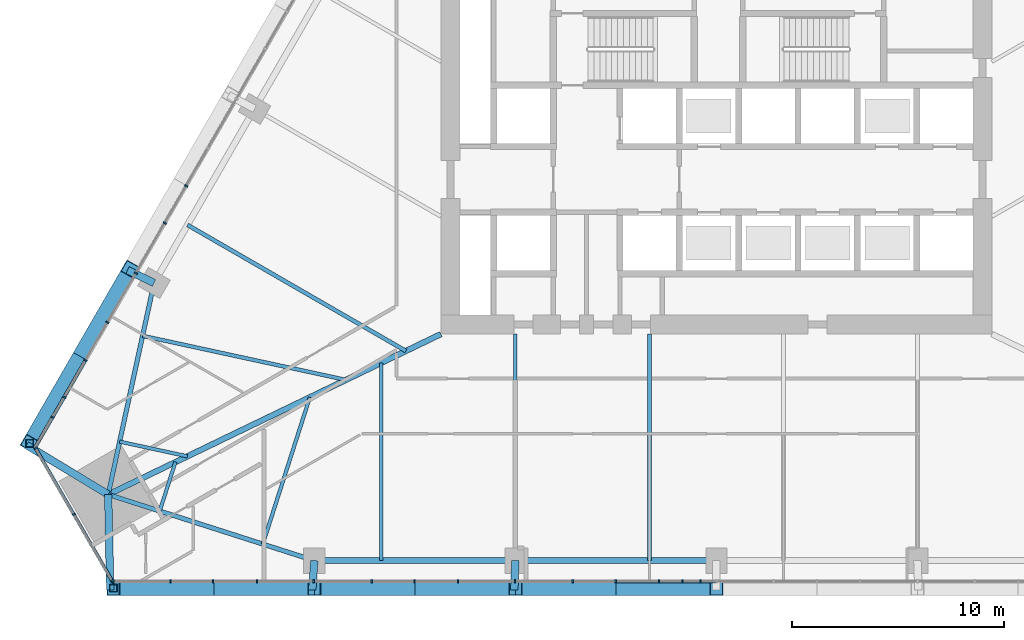
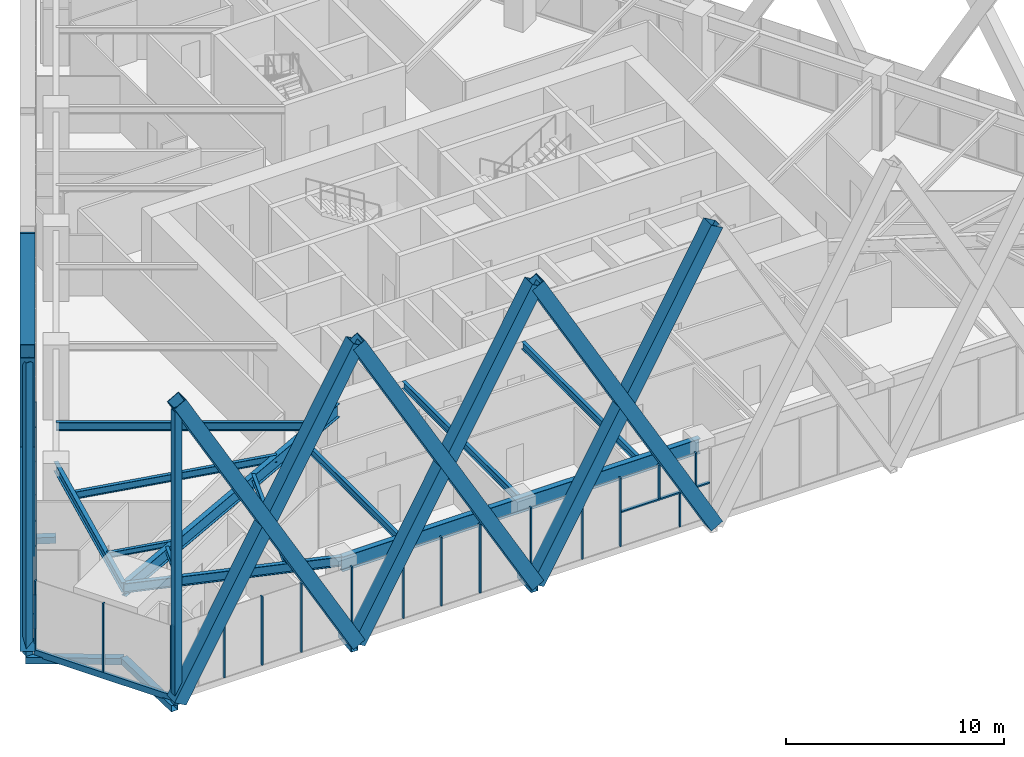
# One storey, part 2 of 21: 42 members, 12 beams, 3 elements without a shape of their own.
"""IFC4 building model written with IfcOpenShell, lengths in metres."""

from ifc_helpers import new_model, si_unit, direction, frame, origin, origin_2d, place, context, subcontext, project, spatial, rectangle, hollow_rectangle, i_section, extrude, material, layer, layer_set, material_profile, profile_set, type_object, element, aggregate, save


model = new_model("IFC4")

# Units and contexts
model_context = context("Model", 3, precision=1e-05, world=origin(), true_north=direction((0.0, 1.0)))
body_context = subcontext(model_context, "Body", "Model", "MODEL_VIEW")
ifc_project = project(units=[si_unit("LENGTHUNIT", "METRE"), si_unit("AREAUNIT", "SQUARE_METRE"), si_unit("VOLUMEUNIT", "CUBIC_METRE"), si_unit("PLANEANGLEUNIT", "RADIAN"), si_unit("MASSUNIT", "GRAM", prefix="KILO")], contexts=[model_context])

# Site, building, storey
site_placement = place(None, origin())
site = spatial("IfcSite", under=ifc_project, at=site_placement, CompositionType="ELEMENT")
building_placement = place(site_placement, origin())
building = spatial("IfcBuilding", under=site, at=building_placement, Name="Firuza Gate Tower and Library", CompositionType="ELEMENT")
storey_placement = place(building_placement, frame((0.0, 0.0, 73.60009765625)))
storey = spatial("IfcBuildingStorey", under=building, at=storey_placement, Name="L16", CompositionType="ELEMENT", Elevation=73.60009765625)

# Members
ifc_material_1 = material(Name="Steel S355", Category="steel")
ifc_material_profile_1 = material_profile(ifc_material_1, hollow_rectangle(XDim=0.699951171875, YDim=0.699951171875, WallThickness=0.030029296875, at=origin_2d()))
ifc_profile_set_1 = profile_set([ifc_material_profile_1], Name="Steel S355")
member_type_1 = type_object("IfcMemberType", Name="BU700x700x30 Lattice brace", PredefinedType="BRACE", material=ifc_profile_set_1)
for number, where, z_axis, x_axis, name in (
    (1, (46.544189453125, 54.01416015625, 0.0), (0.491647302623, 0.0, 0.870794424548), (0.0, 1.0, 0.0), "Lattice brace S 3.1R"),
    (2, (56.029296875, 54.01416015625, 0.0), (-0.491647302623, 0.0, 0.870794424548), (0.0, -1.0, 0.0), "Lattice brace S 3.1L"),
):
    element("IfcMember", number, at=place(storey_placement, frame(where, z_axis=z_axis, x_axis=x_axis)), inside=storey, type_object=member_type_1, Name=name, PredefinedType="BRACE", context=body_context, shape_type="SweptSolid", body=[
        extrude(hollow_rectangle(XDim=0.699951171875, YDim=0.699951171875, WallThickness=0.030029296875, at=origin_2d()), origin(), (0.0, 0.0, 1.0), 19.29248046875),
    ])
for number, where, z_axis, x_axis, name in (
    (3, (56.029296875, 54.01416015625, 0.0), (0.491656898368, 0.0, 0.870789006756), (0.0, 1.0, 0.0), "Lattice brace S 3.2R"),
    (4, (65.5146484375, 54.01416015625, 0.0), (-0.491656898368, 0.0, 0.870789006756), (0.0, -1.0, 0.0), "Lattice brace S 3.2L"),
    (5, (65.5146484375, 54.01416015625, 0.0), (0.491656898368, 0.0, 0.870789006756), (0.0, 1.0, 0.0), "Lattice brace S 3.3R"),
    (6, (75.0, 54.01416015625, 0.0), (-0.491656898368, 0.0, 0.870789006756), (0.0, -1.0, 0.0), "Lattice brace S 3.3L"),
    (7, (47.34033203125, 69.06396484375, 0.0), (-0.245828209421, -0.425789239287, 0.870788157453), (0.866026568532, -0.499997982593, 0.0), "Lattice brace W 3.6R"),
    (8, (42.59765625, 60.849365234375, 0.0), (0.245828209421, 0.425789239287, 0.870788157453), (-0.866026568532, 0.499997982593, 0.0), "Lattice brace W 3.6L"),
):
    element("IfcMember", number, at=place(storey_placement, frame(where, z_axis=z_axis, x_axis=x_axis)), inside=storey, type_object=member_type_1, Name=name, PredefinedType="BRACE", context=body_context, shape_type="SweptSolid", body=[
        extrude(hollow_rectangle(XDim=0.699951171875, YDim=0.699951171875, WallThickness=0.030029296875, at=origin_2d()), origin(), (0.0, 0.0, 1.0), 19.292724609375),
    ])

# Curtain wall, members
ifc_material_2 = material(Name="Aluminium 6063-T6", Category="aluminium")
ifc_layer_1 = layer(ifc_material_2, 0.14990234375)
ifc_layer_set_1 = layer_set([ifc_layer_1], Name="Unitised curtain wall, offices")
curtain_wall_type_1 = type_object("IfcCurtainWallType", Name="Unitised curtain wall, offices", PredefinedType="NOTDEFINED", material=ifc_layer_set_1)
placement = place(storey_placement, origin())
curtain_wall_1 = element("IfcCurtainWall", 9, at=placement, inside=storey, type_object=curtain_wall_type_1, Name="CW1 L16 S face", PredefinedType="NOTDEFINED")
ifc_material_3 = material(Name="Aluminium 6063-T6", Category="aluminium")
ifc_material_profile_2 = material_profile(ifc_material_3, rectangle(XDim=0.14990234375, YDim=0.080078125, at=origin_2d()))
ifc_profile_set_2 = profile_set([ifc_material_profile_2], Name="Aluminium 6063-T6")
member_type_2 = type_object("IfcMemberType", Name="Curtain wall mullion 80x150", PredefinedType="MULLION", material=ifc_profile_set_2)
member_1_placement = place(storey_placement, frame((46.540771484375, 54.339111328125, 0.14990234375), z_axis=(0.0, 0.0, 1.0), x_axis=(0.0, 1.0, 0.0)))
member_1 = element("IfcMember", 10, at=member_1_placement, type_object=member_type_2, Name="Mullion", PredefinedType="MULLION", context=body_context, shape_type="SweptSolid", body=[
    extrude(rectangle(XDim=0.14990234375, YDim=0.080078125, at=origin_2d()), origin(), (0.0, 0.0, 1.0), 3.85009765625),
])
member_2_placement = place(storey_placement, frame((51.250732421875, 54.339111328125, 0.14990234375), z_axis=(0.0, 0.0, 1.0), x_axis=(0.0, 1.0, 0.0)))
member_2 = element("IfcMember", 11, at=member_2_placement, type_object=member_type_2, Name="Mullion", PredefinedType="MULLION", context=body_context, shape_type="SweptSolid", body=[
    extrude(rectangle(XDim=0.14990234375, YDim=0.080078125, at=origin_2d()), origin(), (0.0, 0.0, 1.0), 3.85009765625),
])
member_3_placement = place(storey_placement, frame((56.00048828125, 54.339111328125, 0.14990234375), z_axis=(0.0, 0.0, 1.0), x_axis=(0.0, 1.0, 0.0)))
member_3 = element("IfcMember", 12, at=member_3_placement, type_object=member_type_2, Name="Mullion", PredefinedType="MULLION", context=body_context, shape_type="SweptSolid", body=[
    extrude(rectangle(XDim=0.14990234375, YDim=0.080078125, at=origin_2d()), origin(), (0.0, 0.0, 1.0), 3.85009765625),
])
member_4_placement = place(storey_placement, frame((60.75048828125, 54.339111328125, 0.14990234375), z_axis=(0.0, 0.0, 1.0), x_axis=(0.0, 1.0, 0.0)))
member_4 = element("IfcMember", 13, at=member_4_placement, type_object=member_type_2, Name="Mullion", PredefinedType="MULLION", context=body_context, shape_type="SweptSolid", body=[
    extrude(rectangle(XDim=0.14990234375, YDim=0.080078125, at=origin_2d()), origin(), (0.0, 0.0, 1.0), 3.85009765625),
])
member_5_placement = place(storey_placement, frame((65.500244140625, 54.339111328125, 0.14990234375), z_axis=(0.0, 0.0, 1.0), x_axis=(0.0, 1.0, 0.0)))
member_5 = element("IfcMember", 14, at=member_5_placement, type_object=member_type_2, Name="Mullion", PredefinedType="MULLION", context=body_context, shape_type="SweptSolid", body=[
    extrude(rectangle(XDim=0.14990234375, YDim=0.080078125, at=origin_2d()), origin(), (0.0, 0.0, 1.0), 3.85009765625),
])
member_6_placement = place(storey_placement, frame((70.250244140625, 54.339111328125, 0.14990234375), z_axis=(0.0, 0.0, 1.0), x_axis=(0.0, 1.0, 0.0)))
member_6 = element("IfcMember", 15, at=member_6_placement, type_object=member_type_2, Name="Mullion", PredefinedType="MULLION", context=body_context, shape_type="SweptSolid", body=[
    extrude(rectangle(XDim=0.14990234375, YDim=0.080078125, at=origin_2d()), origin(), (0.0, 0.0, 1.0), 3.85009765625),
])
member_7_placement = place(storey_placement, frame((49.24951171875, 54.339111328125, 0.14990234375), z_axis=(0.0, 0.0, 1.0), x_axis=(0.0, 1.0, 0.0)))
member_7 = element("IfcMember", 16, at=member_7_placement, type_object=member_type_2, Name="Mullion", PredefinedType="MULLION", context=body_context, shape_type="SweptSolid", body=[
    extrude(rectangle(XDim=0.14990234375, YDim=0.080078125, at=origin_2d()), origin(), (0.0, 0.0, 1.0), 3.85009765625),
])
member_8_placement = place(storey_placement, frame((53.323974609375, 54.339111328125, 0.14990234375), z_axis=(0.0, 0.0, 1.0), x_axis=(0.0, 1.0, 0.0)))
member_8 = element("IfcMember", 17, at=member_8_placement, type_object=member_type_2, Name="Mullion", PredefinedType="MULLION", context=body_context, shape_type="SweptSolid", body=[
    extrude(rectangle(XDim=0.14990234375, YDim=0.080078125, at=origin_2d()), origin(), (0.0, 0.0, 1.0), 3.85009765625),
])
member_9_placement = place(storey_placement, frame((58.734619140625, 54.339111328125, 0.14990234375), z_axis=(0.0, 0.0, 1.0), x_axis=(0.0, 1.0, 0.0)))
member_9 = element("IfcMember", 18, at=member_9_placement, type_object=member_type_2, Name="Mullion", PredefinedType="MULLION", context=body_context, shape_type="SweptSolid", body=[
    extrude(rectangle(XDim=0.14990234375, YDim=0.080078125, at=origin_2d()), origin(), (0.0, 0.0, 1.0), 3.85009765625),
])
member_10_placement = place(storey_placement, frame((62.809326171875, 54.339111328125, 0.14990234375), z_axis=(0.0, 0.0, 1.0), x_axis=(0.0, 1.0, 0.0)))
member_10 = element("IfcMember", 19, at=member_10_placement, type_object=member_type_2, Name="Mullion", PredefinedType="MULLION", context=body_context, shape_type="SweptSolid", body=[
    extrude(rectangle(XDim=0.14990234375, YDim=0.080078125, at=origin_2d()), origin(), (0.0, 0.0, 1.0), 3.85009765625),
])
member_11_placement = place(storey_placement, frame((68.219970703125, 54.339111328125, 0.14990234375), z_axis=(0.0, 0.0, 1.0), x_axis=(0.0, 1.0, 0.0)))
member_11 = element("IfcMember", 20, at=member_11_placement, type_object=member_type_2, Name="Mullion", PredefinedType="MULLION", context=body_context, shape_type="SweptSolid", body=[
    extrude(rectangle(XDim=0.14990234375, YDim=0.080078125, at=origin_2d()), origin(), (0.0, 0.0, 1.0), 3.85009765625),
])
member_12_placement = place(storey_placement, frame((73.404052734375, 54.339111328125, 0.14990234375), z_axis=(0.0, 0.0, 1.0), x_axis=(0.0, 1.0, 0.0)))
member_12 = element("IfcMember", 21, at=member_12_placement, type_object=member_type_2, Name="Mullion", PredefinedType="MULLION", context=body_context, shape_type="SweptSolid", body=[
    extrude(rectangle(XDim=0.14990234375, YDim=0.080078125, at=origin_2d()), origin(), (0.0, 0.0, 1.0), 1.885009765625),
])
member_13_placement = place(storey_placement, frame((72.294677734375, 54.339111328125, 2.114990234375), z_axis=(0.0, 0.0, 1.0), x_axis=(0.0, 1.0, 0.0)))
member_13 = element("IfcMember", 22, at=member_13_placement, type_object=member_type_2, Name="Mullion", PredefinedType="MULLION", context=body_context, shape_type="SweptSolid", body=[
    extrude(rectangle(XDim=0.14990234375, YDim=0.080078125, at=origin_2d()), origin(), (0.0, 0.0, 1.0), 1.885009765625),
])
member_14_placement = place(storey_placement, frame((74.252685546875, 54.339111328125, 2.114990234375), z_axis=(0.0, 0.0, 1.0), x_axis=(0.0, 1.0, 0.0)))
member_14 = element("IfcMember", 23, at=member_14_placement, type_object=member_type_2, Name="Mullion", PredefinedType="MULLION", context=body_context, shape_type="SweptSolid", body=[
    extrude(rectangle(XDim=0.14990234375, YDim=0.080078125, at=origin_2d()), origin(), (0.0, 0.0, 1.0), 1.885009765625),
])

curtain_wall_2 = element("IfcCurtainWall", 24, at=placement, inside=storey, type_object=curtain_wall_type_1, Name="CW1 L16 W face", PredefinedType="NOTDEFINED")
member_15_placement = place(storey_placement, frame((49.982177734375, 72.989990234375, 0.14990234375), z_axis=(0.0, 0.0, 1.0), x_axis=(0.866025403784, -0.5, 0.0)))
member_15 = element("IfcMember", 25, at=member_15_placement, type_object=member_type_2, Name="Mullion", PredefinedType="MULLION", context=body_context, shape_type="SweptSolid", body=[
    extrude(rectangle(XDim=0.14990234375, YDim=0.080078125, at=origin_2d()), origin(), (0.0, 0.0, 1.0), 3.85009765625),
])
member_16_placement = place(storey_placement, frame((47.607421875, 68.87646484375, 0.14990234375), z_axis=(0.0, 0.0, 1.0), x_axis=(0.866025403784, -0.5, 0.0)))
member_16 = element("IfcMember", 26, at=member_16_placement, type_object=member_type_2, Name="Mullion", PredefinedType="MULLION", context=body_context, shape_type="SweptSolid", body=[
    extrude(rectangle(XDim=0.14990234375, YDim=0.080078125, at=origin_2d()), origin(), (0.0, 0.0, 1.0), 3.85009765625),
])
member_17_placement = place(storey_placement, frame((45.232421875, 64.762939453125, 0.14990234375), z_axis=(0.0, 0.0, 1.0), x_axis=(0.866025403784, -0.5, 0.0)))
member_17 = element("IfcMember", 27, at=member_17_placement, type_object=member_type_2, Name="Mullion", PredefinedType="MULLION", context=body_context, shape_type="SweptSolid", body=[
    extrude(rectangle(XDim=0.14990234375, YDim=0.080078125, at=origin_2d()), origin(), (0.0, 0.0, 1.0), 3.85009765625),
])
member_18_placement = place(storey_placement, frame((48.974365234375, 71.244384765625, 0.14990234375), z_axis=(0.0, 0.0, 1.0), x_axis=(0.866025403784, -0.5, 0.0)))
member_18 = element("IfcMember", 28, at=member_18_placement, type_object=member_type_2, Name="Mullion", PredefinedType="MULLION", context=body_context, shape_type="SweptSolid", body=[
    extrude(rectangle(XDim=0.14990234375, YDim=0.080078125, at=origin_2d()), origin(), (0.0, 0.0, 1.0), 3.85009765625),
])
member_19_placement = place(storey_placement, frame((46.26904296875, 66.55859375, 0.14990234375), z_axis=(0.0, 0.0, 1.0), x_axis=(0.866025403784, -0.5, 0.0)))
member_19 = element("IfcMember", 29, at=member_19_placement, type_object=member_type_2, Name="Mullion", PredefinedType="MULLION", context=body_context, shape_type="SweptSolid", body=[
    extrude(rectangle(XDim=0.14990234375, YDim=0.080078125, at=origin_2d()), origin(), (0.0, 0.0, 1.0), 3.85009765625),
])
member_20_placement = place(storey_placement, frame((43.677001953125, 62.069091796875, 0.14990234375), z_axis=(0.0, 0.0, 1.0), x_axis=(0.866025403784, -0.5, 0.0)))
member_20 = element("IfcMember", 30, at=member_20_placement, type_object=member_type_2, Name="Mullion", PredefinedType="MULLION", context=body_context, shape_type="SweptSolid", body=[
    extrude(rectangle(XDim=0.14990234375, YDim=0.080078125, at=origin_2d()), origin(), (0.0, 0.0, 1.0), 1.885009765625),
])
member_21_placement = place(storey_placement, frame((44.23193359375, 63.02978515625, 2.114990234375), z_axis=(0.0, 0.0, 1.0), x_axis=(0.866025403784, -0.5, 0.0)))
member_21 = element("IfcMember", 31, at=member_21_placement, type_object=member_type_2, Name="Mullion", PredefinedType="MULLION", context=body_context, shape_type="SweptSolid", body=[
    extrude(rectangle(XDim=0.14990234375, YDim=0.080078125, at=origin_2d()), origin(), (0.0, 0.0, 1.0), 1.885009765625),
])

ifc_material_4 = material(Name="Aluminium 6063-T6", Category="aluminium")
ifc_layer_2 = layer(ifc_material_4, 0.14990234375)
ifc_layer_set_2 = layer_set([ifc_layer_2], Name="Corner curtain wall, chamfers")
curtain_wall_type_2 = type_object("IfcCurtainWallType", Name="Corner curtain wall, chamfers", PredefinedType="NOTDEFINED", material=ifc_layer_set_2)
curtain_wall_3 = element("IfcCurtainWall", 32, at=placement, inside=storey, type_object=curtain_wall_type_2, Name="CW4 L16 SW corner", PredefinedType="NOTDEFINED")
member_22_placement = place(storey_placement, frame((42.87744140625, 60.61474609375, 0.14990234375), z_axis=(0.0, 0.0, 1.0), x_axis=(0.866025403784, 0.5, 0.0)))
member_22 = element("IfcMember", 33, at=member_22_placement, type_object=member_type_2, Name="Mullion", PredefinedType="MULLION", context=body_context, shape_type="SweptSolid", body=[
    extrude(rectangle(XDim=0.14990234375, YDim=0.080078125, at=origin_2d()), origin(), (0.0, 0.0, 1.0), 3.85009765625),
])
member_23_placement = place(storey_placement, frame((44.67919921875, 57.494140625, 0.14990234375), z_axis=(0.0, 0.0, 1.0), x_axis=(0.866025403784, 0.5, 0.0)))
member_23 = element("IfcMember", 34, at=member_23_placement, type_object=member_type_2, Name="Mullion", PredefinedType="MULLION", context=body_context, shape_type="SweptSolid", body=[
    extrude(rectangle(XDim=0.14990234375, YDim=0.080078125, at=origin_2d()), origin(), (0.0, 0.0, 1.0), 3.85009765625),
])
member_24_placement = place(storey_placement, frame((46.480712890625, 54.373779296875, 0.14990234375), z_axis=(0.0, 0.0, 1.0), x_axis=(0.866025403784, 0.5, 0.0)))
member_24 = element("IfcMember", 35, at=member_24_placement, type_object=member_type_2, Name="Mullion", PredefinedType="MULLION", context=body_context, shape_type="SweptSolid", body=[
    extrude(rectangle(XDim=0.14990234375, YDim=0.080078125, at=origin_2d()), origin(), (0.0, 0.0, 1.0), 3.85009765625),
])
ifc_material_5 = material(Name="Aluminium 6063-T6", Category="aluminium")
ifc_material_profile_3 = material_profile(ifc_material_5, rectangle(XDim=0.14990234375, YDim=0.35009765625, at=origin_2d()))
ifc_profile_set_3 = profile_set([ifc_material_profile_3], Name="Aluminium 6063-T6")
member_type_3 = type_object("IfcMemberType", Name="Curtain wall transom 350x150", PredefinedType="USERDEFINED", material=ifc_profile_set_3)
member_25_placement = place(storey_placement, frame((42.857421875, 60.6494140625, -0.025146484375), z_axis=(0.500005719219, -0.866022101766, 0.0), x_axis=(0.866022101766, 0.500005719219, 0.0)))
member_25 = element("IfcMember", 36, at=member_25_placement, type_object=member_type_3, Name="Transom", ObjectType="TRANSOM", PredefinedType="USERDEFINED", context=body_context, shape_type="SweptSolid", body=[
    extrude(rectangle(XDim=0.14990234375, YDim=0.35009765625, at=origin_2d()), origin(), (0.0, 0.0, 1.0), 7.28662109375),
])
aggregate(curtain_wall_3, [member_22, member_23, member_24, member_25])

# Member
ifc_material_6 = material(Name="Aluminium 6063-T6", Category="aluminium")
ifc_material_profile_4 = material_profile(ifc_material_6, rectangle(XDim=0.14990234375, YDim=0.080078125, at=origin_2d()))
ifc_profile_set_4 = profile_set([ifc_material_profile_4], Name="Aluminium 6063-T6")
member_type_4 = type_object("IfcMemberType", Name="Curtain wall transom 80x150", PredefinedType="USERDEFINED", material=ifc_profile_set_4)
member_26_placement = place(storey_placement, frame((70.2900390625, 54.339111328125, 2.074951171875), z_axis=(1.0, 0.0, 0.0), x_axis=(0.0, 1.0, 0.0)))
member_26 = element("IfcMember", 37, at=member_26_placement, type_object=member_type_4, Name="Transom", ObjectType="TRANSOM", PredefinedType="USERDEFINED", context=body_context, shape_type="SweptSolid", body=[
    extrude(rectangle(XDim=0.14990234375, YDim=0.080078125, at=origin_2d()), origin(), (0.0, 0.0, 1.0), 4.669921875),
])

aggregate(curtain_wall_1, [member_1, member_2, member_3, member_4, member_5, member_6, member_7, member_8, member_9, member_10, member_11, member_12, member_13, member_14, member_26])

member_27_placement = place(storey_placement, frame((45.21240234375, 64.728271484375, 2.074951171875), z_axis=(-0.500007559336, -0.866021039356, 0.0), x_axis=(0.866021039356, -0.500007559336, 0.0)))
member_27 = element("IfcMember", 38, at=member_27_placement, type_object=member_type_4, Name="Transom", ObjectType="TRANSOM", PredefinedType="USERDEFINED", context=body_context, shape_type="SweptSolid", body=[
    extrude(rectangle(XDim=0.14990234375, YDim=0.080078125, at=origin_2d()), origin(), (0.0, 0.0, 1.0), 4.669921875),
])

aggregate(curtain_wall_2, [member_15, member_16, member_17, member_18, member_19, member_20, member_21, member_27])

# Members
ifc_material_7 = material(Name="Steel S355", Category="steel")
ifc_material_profile_5 = material_profile(ifc_material_7, hollow_rectangle(XDim=0.355712890625, YDim=0.355712890625, WallThickness=0.014892578125, at=origin_2d()))
ifc_profile_set_5 = profile_set([ifc_material_profile_5], Name="Steel S355")
member_type_5 = type_object("IfcMemberType", Name="HSS356x356x16 Lattice corner stile", PredefinedType="BRACE", material=ifc_profile_set_5)
for number, where, z_axis, x_axis, name in (
    (39, (46.544189453125, 54.01416015625, -0.14013671875), (0.0, 0.0, 1.0), (1.0, 0.0, 0.0), "Lattice corner stile S 3.A"),
    (40, (42.59765625, 60.849365234375, -0.14013671875), (0.0, 0.0, 1.0), (1.0, 0.0, 0.0), "Lattice corner stile W 3.B"),
):
    element("IfcMember", number, at=place(storey_placement, frame(where, z_axis=z_axis, x_axis=x_axis)), inside=storey, type_object=member_type_5, Name=name, PredefinedType="BRACE", context=body_context, shape_type="SweptSolid", body=[
        extrude(hollow_rectangle(XDim=0.355712890625, YDim=0.355712890625, WallThickness=0.014892578125, at=origin_2d()), origin(), (0.0, 0.0, 1.0), 16.43994140625),
    ])
ifc_material_8 = material(Name="Steel S355", Category="steel")
ifc_material_profile_6 = material_profile(ifc_material_8, hollow_rectangle(XDim=0.355712890625, YDim=0.355712890625, WallThickness=0.014892578125, at=origin_2d()))
ifc_profile_set_6 = profile_set([ifc_material_profile_6], Name="Steel S355")
member_type_6 = type_object("IfcMemberType", Name="HSS356x356x16 Lattice node tie", PredefinedType="BRACE", material=ifc_profile_set_6)
member_28_placement = place(storey_placement, frame((46.302978515625, 58.431640625, -0.320068359375), z_axis=(0.02081639609, -0.999783315351, 0.0), x_axis=(0.999783315351, 0.02081639609, 0.0)))
element("IfcMember", 41, at=member_28_placement, inside=storey, type_object=member_type_6, Name="Lattice node tie S L16 50", PredefinedType="BRACE", context=body_context, shape_type="SweptSolid", body=[
    extrude(hollow_rectangle(XDim=0.355712890625, YDim=0.355712890625, WallThickness=0.014892578125, at=origin_2d()), origin(), (0.0, 0.0, 1.0), 4.503662109375),
])
member_29_placement = place(storey_placement, frame((56.029296875, 55.31396484375, -0.320068359375), z_axis=(-0.070684731161, -0.997498706155, 0.0), x_axis=(0.997498706155, -0.070684731161, 0.0)))
element("IfcMember", 42, at=member_29_placement, inside=storey, type_object=member_type_6, Name="Lattice node tie S L16 51", PredefinedType="BRACE", context=body_context, shape_type="SweptSolid", body=[
    extrude(hollow_rectangle(XDim=0.355712890625, YDim=0.355712890625, WallThickness=0.014892578125, at=origin_2d()), origin(), (0.0, 0.0, 1.0), 1.388427734375),
])
member_30_placement = place(storey_placement, frame((65.5146484375, 55.31396484375, -0.320068359375), z_axis=(-0.035408770577, -0.999372912864, 0.0), x_axis=(0.999372912864, -0.035408770577, 0.0)))
element("IfcMember", 43, at=member_30_placement, inside=storey, type_object=member_type_6, Name="Lattice node tie S L16 52", PredefinedType="BRACE", context=body_context, shape_type="SweptSolid", body=[
    extrude(hollow_rectangle(XDim=0.355712890625, YDim=0.355712890625, WallThickness=0.014892578125, at=origin_2d()), origin(), (0.0, 0.0, 1.0), 1.385986328125),
])
member_31_placement = place(storey_placement, frame((46.302978515625, 58.431640625, -0.320068359375), z_axis=(-0.855419817964, 0.517935261431, 0.0), x_axis=(-0.517935261431, -0.855419817964, 0.0)))
element("IfcMember", 44, at=member_31_placement, inside=storey, type_object=member_type_6, Name="Lattice node tie W L16 57", PredefinedType="BRACE", context=body_context, shape_type="SweptSolid", body=[
    extrude(hollow_rectangle(XDim=0.355712890625, YDim=0.355712890625, WallThickness=0.014892578125, at=origin_2d()), origin(), (0.0, 0.0, 1.0), 4.50390625),
])
member_32_placement = place(storey_placement, frame((48.466064453125, 68.4140625, -0.320068359375), z_axis=(-0.899227610632, 0.437481090194, 0.0), x_axis=(-0.437481090194, -0.899227610632, 0.0)))
element("IfcMember", 45, at=member_32_placement, inside=storey, type_object=member_type_6, Name="Lattice node tie W L16 58", PredefinedType="BRACE", context=body_context, shape_type="SweptSolid", body=[
    extrude(hollow_rectangle(XDim=0.355712890625, YDim=0.355712890625, WallThickness=0.014892578125, at=origin_2d()), origin(), (0.0, 0.0, 1.0), 1.388427734375),
])

# Beams
ifc_material_9 = material(Name="Steel S355", Category="steel")
ifc_material_profile_7 = material_profile(ifc_material_9, i_section(OverallWidth=0.1650390625, OverallDepth=0.31005859375, WebThickness=0.005859375, FlangeThickness=0.009765625, at=origin_2d()))
ifc_profile_set_7 = profile_set([ifc_material_profile_7], Name="Steel S355")
beam_type_1 = type_object("IfcBeamType", Name="W310x39 Floor beam", PredefinedType="JOIST", material=ifc_profile_set_7)
beam_1_placement = place(storey_placement, frame((46.84375, 60.92724609375, 3.844970703125), z_axis=(0.97732159581, -0.211760474035, 0.0), x_axis=(0.211760474035, 0.97732159581, 0.0)))
element("IfcBeam", 46, at=beam_1_placement, inside=storey, type_object=beam_type_1, Name="Floor beam L16 s01", PredefinedType="JOIST", context=body_context, shape_type="SweptSolid", body=[
    extrude(i_section(OverallWidth=0.1650390625, OverallDepth=0.31005859375, WebThickness=0.005859375, FlangeThickness=0.009765625, at=origin_2d()), origin(), (0.0, 0.0, 1.0), 3.27197265625),
])
beam_2_placement = place(storey_placement, frame((48.734619140625, 57.65234375, 3.844970703125), z_axis=(0.305239756839, 0.952275533049, 0.0), x_axis=(-0.952275533049, 0.305239756839, 0.0)))
element("IfcBeam", 47, at=beam_2_placement, inside=storey, type_object=beam_type_1, Name="Floor beam L16 s10", PredefinedType="JOIST", context=body_context, shape_type="SweptSolid", body=[
    extrude(i_section(OverallWidth=0.1650390625, OverallDepth=0.31005859375, WebThickness=0.005859375, FlangeThickness=0.009765625, at=origin_2d()), origin(), (0.0, 0.0, 1.0), 2.42431640625),
])
ifc_material_10 = material(Name="Steel S355", Category="steel")
ifc_material_profile_8 = material_profile(ifc_material_10, i_section(OverallWidth=0.1708984375, OverallDepth=0.35498046875, WebThickness=0.007080078125, FlangeThickness=0.01171875, at=origin_2d()))
ifc_profile_set_8 = profile_set([ifc_material_profile_8], Name="Steel S355")
beam_type_2 = type_object("IfcBeamType", Name="W360x51 Floor beam", PredefinedType="JOIST", material=ifc_profile_set_8)
beam_3_placement = place(storey_placement, frame((53.597900390625, 56.093505859375, 3.822509765625), z_axis=(0.305239756839, 0.952275533049, 0.0), x_axis=(-0.952275533049, 0.305239756839, 0.0)))
element("IfcBeam", 48, at=beam_3_placement, inside=storey, type_object=beam_type_2, Name="Floor beam L16 s11", PredefinedType="JOIST", context=body_context, shape_type="SweptSolid", body=[
    extrude(i_section(OverallWidth=0.1708984375, OverallDepth=0.35498046875, WebThickness=0.007080078125, FlangeThickness=0.01171875, at=origin_2d()), origin(), (0.0, 0.0, 1.0), 7.27294921875),
])
ifc_material_11 = material(Name="Steel S355", Category="steel")
ifc_material_profile_9 = material_profile(ifc_material_11, i_section(OverallWidth=0.177978515625, OverallDepth=0.406982421875, WebThickness=0.0078125, FlangeThickness=0.0126953125, at=origin_2d()))
ifc_profile_set_9 = profile_set([ifc_material_profile_9], Name="Steel S355")
beam_type_3 = type_object("IfcBeamType", Name="W410x60 Floor beam", PredefinedType="JOIST", material=ifc_profile_set_9)
beam_4_placement = place(storey_placement, frame((47.92529296875, 65.91845703125, 3.79638671875), z_axis=(0.9773124156, -0.211802838306, 0.0), x_axis=(0.211802838306, 0.9773124156, 0.0)))
element("IfcBeam", 49, at=beam_4_placement, inside=storey, type_object=beam_type_3, Name="Floor beam L16 s00", PredefinedType="JOIST", context=body_context, shape_type="SweptSolid", body=[
    extrude(i_section(OverallWidth=0.177978515625, OverallDepth=0.406982421875, WebThickness=0.0078125, FlangeThickness=0.0126953125, at=origin_2d()), origin(), (0.0, 0.0, 1.0), 9.816162109375),
])
beam_5_placement = place(storey_placement, frame((59.191162109375, 55.31396484375, 3.79638671875), z_axis=(0.0, 1.0, 0.0), x_axis=(-1.0, 0.0, 0.0)))
element("IfcBeam", 50, at=beam_5_placement, inside=storey, type_object=beam_type_3, Name="Floor beam L16 s20", PredefinedType="JOIST", context=body_context, shape_type="SweptSolid", body=[
    extrude(i_section(OverallWidth=0.177978515625, OverallDepth=0.406982421875, WebThickness=0.0078125, FlangeThickness=0.0126953125, at=origin_2d()), origin(), (0.0, 0.0, 1.0), 9.331787109375),
])
for number, where, z_axis, x_axis, name in (
    (51, (65.5146484375, 55.31396484375, 3.79638671875), (0.0, 1.0, 0.0), (-1.0, 0.0, 0.0), "Floor beam L16 s21"),
    (52, (71.838134765625, 55.31396484375, 3.79638671875), (0.0, 1.0, 0.0), (-1.0, 0.0, 0.0), "Floor beam L16 s22"),
):
    element("IfcBeam", number, at=place(storey_placement, frame(where, z_axis=z_axis, x_axis=x_axis)), inside=storey, type_object=beam_type_3, Name=name, PredefinedType="JOIST", context=body_context, shape_type="SweptSolid", body=[
        extrude(i_section(OverallWidth=0.177978515625, OverallDepth=0.406982421875, WebThickness=0.0078125, FlangeThickness=0.0126953125, at=origin_2d()), origin(), (0.0, 0.0, 1.0), 10.68603515625),
    ])
ifc_material_12 = material(Name="Steel S355", Category="steel")
ifc_material_profile_10 = material_profile(ifc_material_12, i_section(OverallWidth=0.18994140625, OverallDepth=0.45703125, WebThickness=0.009033203125, FlangeThickness=0.014404296875, at=origin_2d()))
ifc_profile_set_10 = profile_set([ifc_material_profile_10], Name="Steel S355")
beam_type_4 = type_object("IfcBeamType", Name="W460x74 Floor beam", PredefinedType="JOIST", material=ifc_profile_set_10)
beam_6_placement = place(storey_placement, frame((50.047119140625, 71.152099609375, 3.771484375), z_axis=(0.866025640697, -0.499999589656, 0.0), x_axis=(0.499999589656, 0.866025640697, 0.0)))
element("IfcBeam", 53, at=beam_6_placement, inside=storey, type_object=beam_type_4, Name="Floor beam L16 s85", PredefinedType="JOIST", context=body_context, shape_type="SweptSolid", body=[
    extrude(i_section(OverallWidth=0.18994140625, OverallDepth=0.45703125, WebThickness=0.009033203125, FlangeThickness=0.014404296875, at=origin_2d()), origin(), (0.0, 0.0, 1.0), 11.89599609375),
])
ifc_material_13 = material(Name="Steel S355", Category="steel")
ifc_material_profile_11 = material_profile(ifc_material_13, i_section(OverallWidth=0.212890625, OverallDepth=0.5390625, WebThickness=0.01171875, FlangeThickness=0.018798828125, at=origin_2d()))
ifc_profile_set_11 = profile_set([ifc_material_profile_11], Name="Steel S355")
beam_type_5 = type_object("IfcBeamType", Name="W530x109 Edge beam", PredefinedType="SPANDREL", material=ifc_profile_set_11)
beam_7_placement = place(storey_placement, frame((48.466064453125, 68.4140625, 3.73046875), z_axis=(-0.211774655481, -0.977318522947, 0.0), x_axis=(0.977318522947, -0.211774655481, 0.0)))
element("IfcBeam", 54, at=beam_7_placement, inside=storey, type_object=beam_type_5, Name="Edge beam L16 e00", PredefinedType="SPANDREL", context=body_context, shape_type="SweptSolid", body=[
    extrude(i_section(OverallWidth=0.212890625, OverallDepth=0.5390625, WebThickness=0.01171875, FlangeThickness=0.018798828125, at=origin_2d()), origin(), (0.0, 0.0, 1.0), 10.214111328125),
])
beam_8_placement = place(storey_placement, frame((46.302978515625, 58.431640625, 3.73046875), z_axis=(0.952274716719, -0.305242303584, 0.0), x_axis=(0.305242303584, 0.952274716719, 0.0)))
element("IfcBeam", 55, at=beam_8_placement, inside=storey, type_object=beam_type_5, Name="Edge beam L16 e10", PredefinedType="SPANDREL", context=body_context, shape_type="SweptSolid", body=[
    extrude(i_section(OverallWidth=0.212890625, OverallDepth=0.5390625, WebThickness=0.01171875, FlangeThickness=0.018798828125, at=origin_2d()), origin(), (0.0, 0.0, 1.0), 10.2138671875),
])
ifc_material_14 = material(Name="Steel S355", Category="steel")
ifc_material_profile_12 = material_profile(ifc_material_14, i_section(OverallWidth=0.264892578125, OverallDepth=0.7529296875, WebThickness=0.01318359375, FlangeThickness=0.01708984375, at=origin_2d()))
ifc_profile_set_12 = profile_set([ifc_material_profile_12], Name="Steel S355")
beam_type_6 = type_object("IfcBeamType", Name="W760x147 Girder", PredefinedType="BEAM", material=ifc_profile_set_12)
beam_9_placement = place(storey_placement, frame((46.302978515625, 58.431640625, 3.623291015625), z_axis=(0.900765255898, 0.434306290269, 0.0), x_axis=(-0.434306290269, 0.900765255898, 0.0)))
element("IfcBeam", 56, at=beam_9_placement, inside=storey, type_object=beam_type_6, Name="Girder L16 gSW", PredefinedType="BEAM", context=body_context, shape_type="SweptSolid", body=[
    extrude(i_section(OverallWidth=0.264892578125, OverallDepth=0.7529296875, WebThickness=0.01318359375, FlangeThickness=0.01708984375, at=origin_2d()), origin(), (0.0, 0.0, 1.0), 17.42626953125),
])
ifc_material_15 = material(Name="Steel S355", Category="steel")
ifc_material_profile_13 = material_profile(ifc_material_15, i_section(OverallWidth=0.2919921875, OverallDepth=0.8349609375, WebThickness=0.013916015625, FlangeThickness=0.018798828125, at=origin_2d()))
ifc_profile_set_13 = profile_set([ifc_material_profile_13], Name="Steel S355")
beam_type_7 = type_object("IfcBeamType", Name="W840x176 Edge beam", PredefinedType="SPANDREL", material=ifc_profile_set_13)
beam_10_placement = place(storey_placement, frame((56.029296875, 55.31396484375, 3.58251953125), z_axis=(1.0, 0.0, 0.0), x_axis=(0.0, 1.0, 0.0)))
element("IfcBeam", 57, at=beam_10_placement, inside=storey, type_object=beam_type_7, Name="Edge beam L16 e20", PredefinedType="SPANDREL", context=body_context, shape_type="SweptSolid", body=[
    extrude(i_section(OverallWidth=0.2919921875, OverallDepth=0.8349609375, WebThickness=0.013916015625, FlangeThickness=0.018798828125, at=origin_2d()), origin(), (0.0, 0.0, 1.0), 18.970703125),
])

save(model, "model.ifc")
